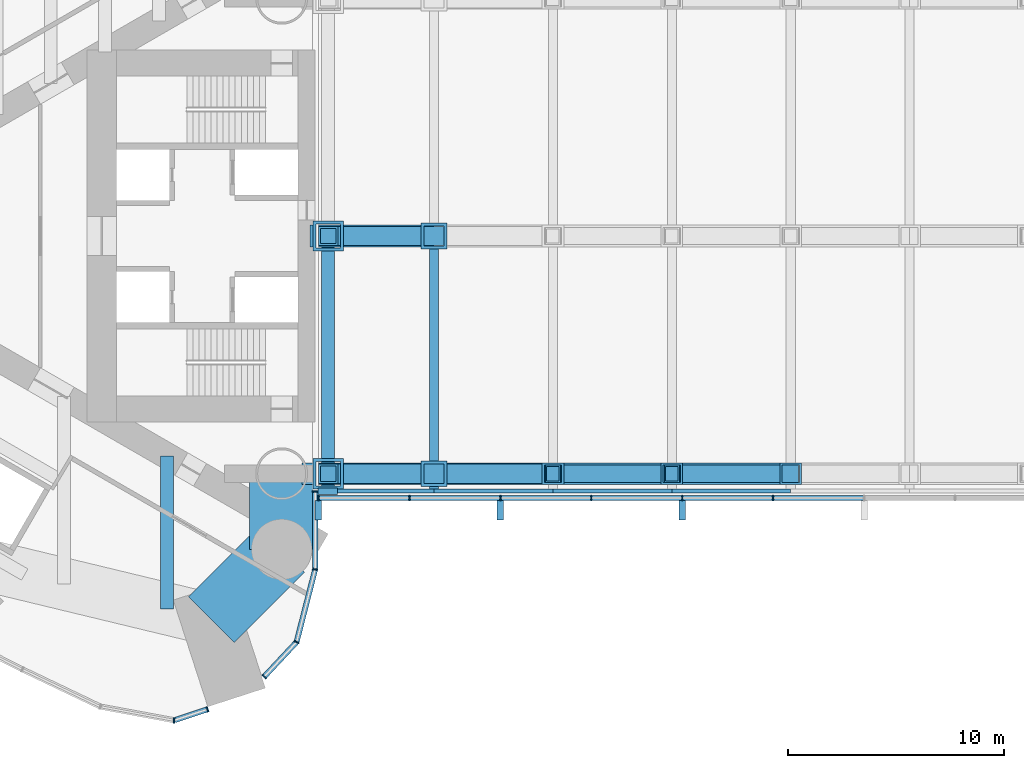
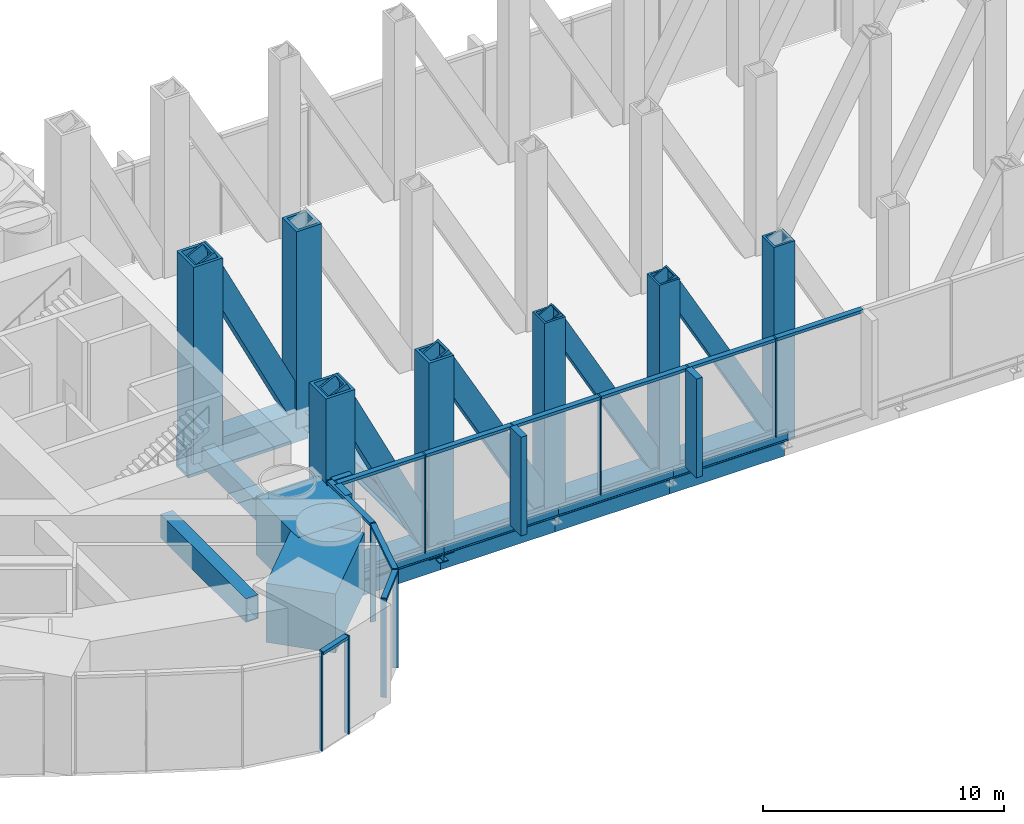
# One storey, part 4 of 21: 43 members, 9 beams, 3 elements without a shape of their own.
"""IFC4 building model written with IfcOpenShell, lengths in metres."""

from ifc_helpers import new_model, si_unit, direction, frame, origin, origin_2d, place, context, subcontext, project, spatial, rectangle, hollow_rectangle, i_section, extrude, material, material_profile, profile_set, type_object, element, aggregate, save


model = new_model("IFC4")

# Units and contexts
model_context = context("Model", 3, precision=1e-05, world=origin(), true_north=direction((0.0, 1.0)))
body_context = subcontext(model_context, "Body", "Model", "MODEL_VIEW")
ifc_project = project(units=[si_unit("LENGTHUNIT", "METRE"), si_unit("AREAUNIT", "SQUARE_METRE"), si_unit("VOLUMEUNIT", "CUBIC_METRE"), si_unit("PLANEANGLEUNIT", "RADIAN"), si_unit("MASSUNIT", "GRAM", prefix="KILO")], contexts=[model_context])

# Site, building, storey
site_placement = place(None, origin())
site = spatial("IfcSite", under=ifc_project, at=site_placement, CompositionType="ELEMENT")
building_placement = place(site_placement, origin())
building = spatial("IfcBuilding", under=site, at=building_placement, Name="Lancet Gate Hotel", CompositionType="ELEMENT")
storey_placement = place(building_placement, frame((0.0, 0.0, 205.300048828125)))
storey = spatial("IfcBuildingStorey", under=building, at=storey_placement, Name="L55", CompositionType="ELEMENT", Elevation=205.300048828125)

# Curtain wall, members
ifc_material_1 = material(Name="Aluminium curtain wall", Category="aluminium")
curtain_wall_type = type_object("IfcCurtainWallType", Name="Refuge storey louvred curtain wall", PredefinedType="USERDEFINED", material=ifc_material_1)
curtain_wall_1_placement = place(storey_placement, origin())
curtain_wall_1 = element("IfcCurtainWall", 1, at=curtain_wall_1_placement, inside=storey, type_object=curtain_wall_type, Name="T1 L55 curtain wall 9", ObjectType="LANTERN GLAZING", PredefinedType="USERDEFINED")
ifc_material_2 = material(Name="Aluminium mullion", Category="aluminium")
ifc_material_profile_1 = material_profile(ifc_material_2, rectangle(XDim=0.06494140625, YDim=0.25, at=origin_2d()), Name="MULLION 65x250")
ifc_profile_set_1 = profile_set([ifc_material_profile_1], Name="Aluminium mullion")
member_type_1 = type_object("IfcMemberType", Name="Aluminium mullion 65x250", PredefinedType="MULLION", material=ifc_profile_set_1)
member_1_placement = place(storey_placement, frame((-34.02783203125, -22.407470703125, 0.0), z_axis=(0.0, 0.0, 1.0), x_axis=(0.99969339569, -0.024761151312, 0.0)))
member_1 = element("IfcMember", 2, at=member_1_placement, type_object=member_type_1, Name="T1 L55 curtain wall 9 mullion 4", PredefinedType="MULLION", context=body_context, shape_type="SweptSolid", body=[
    extrude(rectangle(XDim=0.06494140625, YDim=0.25, at=origin_2d()), origin(), (0.0, 0.0, 1.0), 5.0),
])
member_2_placement = place(storey_placement, frame((-32.481689453125, -21.8984375, 0.0), z_axis=(0.0, 0.0, 1.0), x_axis=(0.949848055084, 0.312711803827, 0.0)))
member_2 = element("IfcMember", 3, at=member_2_placement, type_object=member_type_1, Name="T1 L55 curtain wall 9 mullion 5", PredefinedType="MULLION", context=body_context, shape_type="SweptSolid", body=[
    extrude(rectangle(XDim=0.06494140625, YDim=0.25, at=origin_2d()), origin(), (0.0, 0.0, 1.0), 5.0),
])

curtain_wall_2_placement = place(storey_placement, origin())
curtain_wall_2 = element("IfcCurtainWall", 4, at=curtain_wall_2_placement, inside=storey, type_object=curtain_wall_type, Name="T1 L55 curtain wall 10", ObjectType="LANTERN GLAZING", PredefinedType="USERDEFINED")
member_3_placement = place(storey_placement, frame((-29.8583984375, -20.388671875, 0.0), z_axis=(0.0, 0.0, 1.0), x_axis=(0.682844962172, 0.730563315282, 0.0)))
member_3 = element("IfcMember", 5, at=member_3_placement, type_object=member_type_1, Name="T1 L55 curtain wall 10 mullion 1", PredefinedType="MULLION", context=body_context, shape_type="SweptSolid", body=[
    extrude(rectangle(XDim=0.06494140625, YDim=0.25, at=origin_2d()), origin(), (0.0, 0.0, 1.0), 5.0),
])
member_4_placement = place(storey_placement, frame((-28.360595703125, -18.7861328125, 0.0), z_axis=(0.0, 0.0, 1.0), x_axis=(0.429049841875, 0.90328081635, 0.0)))
member_4 = element("IfcMember", 6, at=member_4_placement, type_object=member_type_1, Name="T1 L55 curtain wall 10 mullion 2", PredefinedType="MULLION", context=body_context, shape_type="SweptSolid", body=[
    extrude(rectangle(XDim=0.06494140625, YDim=0.25, at=origin_2d()), origin(), (0.0, 0.0, 1.0), 5.0),
])
member_5_placement = place(storey_placement, frame((-27.5, -15.42333984375, 0.0), z_axis=(0.0, 0.0, 1.0), x_axis=(0.122467472845, 0.992472527627, 0.0)))
member_5 = element("IfcMember", 7, at=member_5_placement, type_object=member_type_1, Name="T1 L55 curtain wall 10 mullion 3", PredefinedType="MULLION", context=body_context, shape_type="SweptSolid", body=[
    extrude(rectangle(XDim=0.06494140625, YDim=0.25, at=origin_2d()), origin(), (0.0, 0.0, 1.0), 5.0),
])
member_6_placement = place(storey_placement, frame((-27.5, -11.811767578125, 0.0), z_axis=(0.0, 0.0, 1.0), x_axis=(0.0, 1.0, 0.0)))
member_6 = element("IfcMember", 8, at=member_6_placement, type_object=member_type_1, Name="T1 L55 curtain wall 10 mullion 4", PredefinedType="MULLION", context=body_context, shape_type="SweptSolid", body=[
    extrude(rectangle(XDim=0.06494140625, YDim=0.25, at=origin_2d()), origin(), (0.0, 0.0, 1.0), 5.0),
])

curtain_wall_3_placement = place(storey_placement, origin())
curtain_wall_3 = element("IfcCurtainWall", 9, at=curtain_wall_3_placement, inside=storey, type_object=curtain_wall_type, Name="Bridge block L55 curtain wall S", ObjectType="LANTERN GLAZING", PredefinedType="USERDEFINED")
member_7_placement = place(storey_placement, frame((-27.35009765625, -12.1201171875, 0.0), z_axis=(0.0, 0.0, 1.0), x_axis=(1.0, 0.0, 0.0)))
member_7 = element("IfcMember", 10, at=member_7_placement, type_object=member_type_1, Name="Bridge block L55 curtain wall S mullion 1", PredefinedType="MULLION", context=body_context, shape_type="SweptSolid", body=[
    extrude(rectangle(XDim=0.06494140625, YDim=0.25, at=origin_2d()), origin(), (0.0, 0.0, 1.0), 5.0),
])
member_8_placement = place(storey_placement, frame((-23.142333984375, -12.1201171875, 0.0), z_axis=(0.0, 0.0, 1.0), x_axis=(1.0, 0.0, 0.0)))
member_8 = element("IfcMember", 11, at=member_8_placement, type_object=member_type_1, Name="Bridge block L55 curtain wall S mullion 2", PredefinedType="MULLION", context=body_context, shape_type="SweptSolid", body=[
    extrude(rectangle(XDim=0.06494140625, YDim=0.25, at=origin_2d()), origin(), (0.0, 0.0, 1.0), 5.0),
])
member_9_placement = place(storey_placement, frame((-18.9345703125, -12.1201171875, 0.0), z_axis=(0.0, 0.0, 1.0), x_axis=(1.0, 0.0, 0.0)))
member_9 = element("IfcMember", 12, at=member_9_placement, type_object=member_type_1, Name="Bridge block L55 curtain wall S mullion 3", PredefinedType="MULLION", context=body_context, shape_type="SweptSolid", body=[
    extrude(rectangle(XDim=0.06494140625, YDim=0.25, at=origin_2d()), origin(), (0.0, 0.0, 1.0), 5.0),
])
member_10_placement = place(storey_placement, frame((-14.726806640625, -12.1201171875, 0.0), z_axis=(0.0, 0.0, 1.0), x_axis=(1.0, 0.0, 0.0)))
member_10 = element("IfcMember", 13, at=member_10_placement, type_object=member_type_1, Name="Bridge block L55 curtain wall S mullion 4", PredefinedType="MULLION", context=body_context, shape_type="SweptSolid", body=[
    extrude(rectangle(XDim=0.06494140625, YDim=0.25, at=origin_2d()), origin(), (0.0, 0.0, 1.0), 5.0),
])
member_11_placement = place(storey_placement, frame((-10.519287109375, -12.1201171875, 0.0), z_axis=(0.0, 0.0, 1.0), x_axis=(1.0, 0.0, 0.0)))
member_11 = element("IfcMember", 14, at=member_11_placement, type_object=member_type_1, Name="Bridge block L55 curtain wall S mullion 5", PredefinedType="MULLION", context=body_context, shape_type="SweptSolid", body=[
    extrude(rectangle(XDim=0.06494140625, YDim=0.25, at=origin_2d()), origin(), (0.0, 0.0, 1.0), 5.0),
])
member_12_placement = place(storey_placement, frame((-6.3115234375, -12.1201171875, 0.0), z_axis=(0.0, 0.0, 1.0), x_axis=(1.0, 0.0, 0.0)))
member_12 = element("IfcMember", 15, at=member_12_placement, type_object=member_type_1, Name="Bridge block L55 curtain wall S mullion 6", PredefinedType="MULLION", context=body_context, shape_type="SweptSolid", body=[
    extrude(rectangle(XDim=0.06494140625, YDim=0.25, at=origin_2d()), origin(), (0.0, 0.0, 1.0), 5.0),
])

# Member
ifc_material_3 = material(Name="Aluminium transom", Category="aluminium")
ifc_material_profile_2 = material_profile(ifc_material_3, rectangle(XDim=0.25, YDim=0.14990234375, at=origin_2d()), Name="TRANSOM 250x150")
ifc_profile_set_2 = profile_set([ifc_material_profile_2], Name="Aluminium transom")
member_type_2 = type_object("IfcMemberType", Name="Aluminium transom 250x150", PredefinedType="USERDEFINED", material=ifc_profile_set_2)
member_13_placement = place(storey_placement, frame((-33.9970703125, -22.397216796875, 4.925048828125), z_axis=(0.949833005468, 0.312757512656, 0.0), x_axis=(-0.312757512656, 0.949833005468, 0.0)))
member_13 = element("IfcMember", 16, at=member_13_placement, type_object=member_type_2, Name="T1 L55 curtain wall 9 transom 4", ObjectType="TRANSOM", PredefinedType="USERDEFINED", context=body_context, shape_type="SweptSolid", body=[
    extrude(rectangle(XDim=0.25, YDim=0.14990234375, at=origin_2d()), origin(), (0.0, 0.0, 1.0), 1.562744140625),
])

aggregate(curtain_wall_1, [member_1, member_2, member_13])

member_14_placement = place(storey_placement, frame((-29.836181640625, -20.36474609375, 4.925048828125), z_axis=(0.682845284953, 0.730563013584, 0.0), x_axis=(-0.730563013584, 0.682845284953, 0.0)))
member_14 = element("IfcMember", 17, at=member_14_placement, type_object=member_type_2, Name="T1 L55 curtain wall 10 transom 1", ObjectType="TRANSOM", PredefinedType="USERDEFINED", context=body_context, shape_type="SweptSolid", body=[
    extrude(rectangle(XDim=0.25, YDim=0.14990234375, at=origin_2d()), origin(), (0.0, 0.0, 1.0), 2.12841796875),
])

member_15_placement = place(storey_placement, frame((-28.3525390625, -18.754638671875, 4.925048828125), z_axis=(0.247928683912, 0.968778286139, 0.0), x_axis=(-0.968778286139, 0.247928683912, 0.0)))
member_15 = element("IfcMember", 18, at=member_15_placement, type_object=member_type_2, Name="T1 L55 curtain wall 10 transom 2", ObjectType="TRANSOM", PredefinedType="USERDEFINED", context=body_context, shape_type="SweptSolid", body=[
    extrude(rectangle(XDim=0.25, YDim=0.14990234375, at=origin_2d()), origin(), (0.0, 0.0, 1.0), 3.40625),
])

member_16_placement = place(storey_placement, frame((-27.5, -15.390869140625, 4.925048828125), z_axis=(0.0, 1.0, 0.0), x_axis=(-1.0, 0.0, 0.0)))
member_16 = element("IfcMember", 19, at=member_16_placement, type_object=member_type_2, Name="T1 L55 curtain wall 10 transom 3", ObjectType="TRANSOM", PredefinedType="USERDEFINED", context=body_context, shape_type="SweptSolid", body=[
    extrude(rectangle(XDim=0.25, YDim=0.14990234375, at=origin_2d()), origin(), (0.0, 0.0, 1.0), 3.546630859375),
])

member_17_placement = place(storey_placement, frame((-27.3173828125, -12.1201171875, 4.925048828125), z_axis=(1.0, 0.0, 0.0), x_axis=(0.0, 1.0, 0.0)))
member_17 = element("IfcMember", 20, at=member_17_placement, type_object=member_type_2, Name="Bridge block L55 curtain wall S transom 1", ObjectType="TRANSOM", PredefinedType="USERDEFINED", context=body_context, shape_type="SweptSolid", body=[
    extrude(rectangle(XDim=0.25, YDim=0.14990234375, at=origin_2d()), origin(), (0.0, 0.0, 1.0), 4.142578125),
])

member_18_placement = place(storey_placement, frame((-23.10986328125, -12.1201171875, 4.925048828125), z_axis=(1.0, 0.0, 0.0), x_axis=(0.0, 1.0, 0.0)))
member_18 = element("IfcMember", 21, at=member_18_placement, type_object=member_type_2, Name="Bridge block L55 curtain wall S transom 2", ObjectType="TRANSOM", PredefinedType="USERDEFINED", context=body_context, shape_type="SweptSolid", body=[
    extrude(rectangle(XDim=0.25, YDim=0.14990234375, at=origin_2d()), origin(), (0.0, 0.0, 1.0), 4.142822265625),
])

member_19_placement = place(storey_placement, frame((-18.902099609375, -12.1201171875, 4.925048828125), z_axis=(1.0, 0.0, 0.0), x_axis=(0.0, 1.0, 0.0)))
member_19 = element("IfcMember", 22, at=member_19_placement, type_object=member_type_2, Name="Bridge block L55 curtain wall S transom 3", ObjectType="TRANSOM", PredefinedType="USERDEFINED", context=body_context, shape_type="SweptSolid", body=[
    extrude(rectangle(XDim=0.25, YDim=0.14990234375, at=origin_2d()), origin(), (0.0, 0.0, 1.0), 4.142578125),
])

member_20_placement = place(storey_placement, frame((-14.6943359375, -12.1201171875, 4.925048828125), z_axis=(1.0, 0.0, 0.0), x_axis=(0.0, 1.0, 0.0)))
member_20 = element("IfcMember", 23, at=member_20_placement, type_object=member_type_2, Name="Bridge block L55 curtain wall S transom 4", ObjectType="TRANSOM", PredefinedType="USERDEFINED", context=body_context, shape_type="SweptSolid", body=[
    extrude(rectangle(XDim=0.25, YDim=0.14990234375, at=origin_2d()), origin(), (0.0, 0.0, 1.0), 4.142578125),
])

member_21_placement = place(storey_placement, frame((-10.48681640625, -12.1201171875, 4.925048828125), z_axis=(1.0, 0.0, 0.0), x_axis=(0.0, 1.0, 0.0)))
member_21 = element("IfcMember", 24, at=member_21_placement, type_object=member_type_2, Name="Bridge block L55 curtain wall S transom 5", ObjectType="TRANSOM", PredefinedType="USERDEFINED", context=body_context, shape_type="SweptSolid", body=[
    extrude(rectangle(XDim=0.25, YDim=0.14990234375, at=origin_2d()), origin(), (0.0, 0.0, 1.0), 4.142822265625),
])

member_22_placement = place(storey_placement, frame((-6.279052734375, -12.1201171875, 4.925048828125), z_axis=(1.0, 0.0, 0.0), x_axis=(0.0, 1.0, 0.0)))
member_22 = element("IfcMember", 25, at=member_22_placement, type_object=member_type_2, Name="Bridge block L55 curtain wall S transom 6", ObjectType="TRANSOM", PredefinedType="USERDEFINED", context=body_context, shape_type="SweptSolid", body=[
    extrude(rectangle(XDim=0.25, YDim=0.14990234375, at=origin_2d()), origin(), (0.0, 0.0, 1.0), 4.142822265625),
])

# Beams
ifc_material_4 = material(Name="Steel S355", Category="steel")
ifc_material_profile_3 = material_profile(ifc_material_4, i_section(OverallWidth=0.19140625, OverallDepth=0.4599609375, WebThickness=0.010009765625, FlangeThickness=0.01611328125, FilletRadius=0.01025390625, at=origin_2d()), Name="UKB 457x191x82")
ifc_profile_set_3 = profile_set([ifc_material_profile_3], Name="Steel S355")
beam_type_1 = type_object("IfcBeamType", Name="Block edge beam UKB 457x191x82", PredefinedType="SPANDREL", material=ifc_profile_set_3)
beam_1_placement = place(storey_placement, frame((-26.89990234375, -11.800048828125, -0.429931640625), z_axis=(1.0, 0.0, 0.0), x_axis=(0.0, 1.0, 0.0)))
element("IfcBeam", 26, at=beam_1_placement, inside=storey, type_object=beam_type_1, Name="Block edge beam S 0-1 L55", PredefinedType="SPANDREL", context=body_context, shape_type="SweptSolid", body=[
    extrude(i_section(OverallWidth=0.19140625, OverallDepth=0.4599609375, WebThickness=0.010009765625, FlangeThickness=0.01611328125, FilletRadius=0.01025390625, at=origin_2d()), origin(), (0.0, 0.0, 1.0), 4.89990234375),
])
for number, where, z_axis, x_axis, name in (
    (27, (-22.0, -11.800048828125, -0.429931640625), (1.0, 0.0, 0.0), (0.0, 1.0, 0.0), "Block edge beam S 1-2 L55"),
    (28, (-16.5, -11.800048828125, -0.429931640625), (1.0, 0.0, 0.0), (0.0, 1.0, 0.0), "Block edge beam S 2-3 L55"),
    (29, (-11.0, -11.800048828125, -0.429931640625), (1.0, 0.0, 0.0), (0.0, 1.0, 0.0), "Block edge beam S 3-4 L55"),
):
    element("IfcBeam", number, at=place(storey_placement, frame(where, z_axis=z_axis, x_axis=x_axis)), inside=storey, type_object=beam_type_1, Name=name, PredefinedType="SPANDREL", context=body_context, shape_type="SweptSolid", body=[
        extrude(i_section(OverallWidth=0.19140625, OverallDepth=0.4599609375, WebThickness=0.010009765625, FlangeThickness=0.01611328125, FilletRadius=0.01025390625, at=origin_2d()), origin(), (0.0, 0.0, 1.0), 5.5),
    ])
ifc_material_5 = material(Name="Steel S460QL", Category="steel")
ifc_material_profile_4 = material_profile(ifc_material_5, hollow_rectangle(XDim=0.60009765625, YDim=1.0, WallThickness=0.10009765625, at=origin_2d()), Name="BOX 1000x600x100")
ifc_profile_set_4 = profile_set([ifc_material_profile_4], Name="Steel S460QL")
beam_type_2 = type_object("IfcBeamType", Name="Block end beam BOX 1000x600x100", PredefinedType="BEAM", material=ifc_profile_set_4)
beam_2_placement = place(storey_placement, frame((-26.89990234375, -11.800048828125, -0.699951171875), z_axis=(0.0, 1.0, 0.0), x_axis=(-1.0, 0.0, 0.0)))
element("IfcBeam", 30, at=beam_2_placement, inside=storey, type_object=beam_type_2, Name="Block beam x0 S L55", PredefinedType="BEAM", context=body_context, shape_type="SweptSolid", body=[
    extrude(hollow_rectangle(XDim=0.60009765625, YDim=1.0, WallThickness=0.10009765625, at=origin_2d()), origin(), (0.0, 0.0, 1.0), 11.800048828125),
])
ifc_material_6 = material(Name="Steel S355", Category="steel")
ifc_material_profile_5 = material_profile(ifc_material_6, i_section(OverallWidth=0.42041015625, OverallDepth=0.9208984375, WebThickness=0.021484375, FlangeThickness=0.03662109375, FilletRadius=0.024169921875, at=origin_2d()), Name="UKB 914x419x388")
ifc_profile_set_5 = profile_set([ifc_material_profile_5], Name="Steel S355")
beam_type_3 = type_object("IfcBeamType", Name="Block plant floor beam UKB 914x419x388", PredefinedType="JOIST", material=ifc_profile_set_5)
beam_3_placement = place(storey_placement, frame((-22.0, -11.800048828125, -0.66064453125), z_axis=(0.0, 1.0, 0.0), x_axis=(-1.0, 0.0, 0.0)))
element("IfcBeam", 31, at=beam_3_placement, inside=storey, type_object=beam_type_3, Name="Block beam x1 S L55", PredefinedType="JOIST", context=body_context, shape_type="SweptSolid", body=[
    extrude(i_section(OverallWidth=0.42041015625, OverallDepth=0.9208984375, WebThickness=0.021484375, FlangeThickness=0.03662109375, FilletRadius=0.024169921875, at=origin_2d()), origin(), (0.0, 0.0, 1.0), 11.800048828125),
])

# Member
ifc_material_7 = material(Name="Precast concrete C50/60", Category="concrete")
ifc_material_profile_6 = material_profile(ifc_material_7, rectangle(XDim=0.300048828125, YDim=0.89990234375, at=origin_2d()), Name="FIN 300x900")
ifc_profile_set_6 = profile_set([ifc_material_profile_6], Name="Precast concrete C50/60")
member_type_3 = type_object("IfcMemberType", Name="Exposed concrete fin 300x900", PredefinedType="USERDEFINED", material=ifc_profile_set_6)
member_23_placement = place(storey_placement, frame((-26.925048828125, -11.811767578125, 0.0), z_axis=(0.0, 0.0, 1.0), x_axis=(0.0, 1.0, 0.0)))
member_23 = element("IfcMember", 32, at=member_23_placement, type_object=member_type_3, Name="T1 L55 curtain wall 10 fin 4", ObjectType="FIN", PredefinedType="USERDEFINED", context=body_context, shape_type="SweptSolid", body=[
    extrude(rectangle(XDim=0.300048828125, YDim=0.89990234375, at=origin_2d()), origin(), (0.0, 0.0, 1.0), 5.0),
])

aggregate(curtain_wall_2, [member_3, member_4, member_5, member_6, member_23, member_14, member_15, member_16])

member_24_placement = place(storey_placement, frame((-27.35009765625, -12.695068359375, 0.0), z_axis=(0.0, 0.0, 1.0), x_axis=(1.0, 0.0, 0.0)))
member_24 = element("IfcMember", 33, at=member_24_placement, type_object=member_type_3, Name="Bridge block L55 curtain wall S fin 1", ObjectType="FIN", PredefinedType="USERDEFINED", context=body_context, shape_type="SweptSolid", body=[
    extrude(rectangle(XDim=0.300048828125, YDim=0.89990234375, at=origin_2d()), origin(), (0.0, 0.0, 1.0), 5.0),
])

member_25_placement = place(storey_placement, frame((-18.9345703125, -12.695068359375, 0.0), z_axis=(0.0, 0.0, 1.0), x_axis=(1.0, 0.0, 0.0)))
member_25 = element("IfcMember", 34, at=member_25_placement, type_object=member_type_3, Name="Bridge block L55 curtain wall S fin 3", ObjectType="FIN", PredefinedType="USERDEFINED", context=body_context, shape_type="SweptSolid", body=[
    extrude(rectangle(XDim=0.300048828125, YDim=0.89990234375, at=origin_2d()), origin(), (0.0, 0.0, 1.0), 5.0),
])

member_26_placement = place(storey_placement, frame((-10.519287109375, -12.695068359375, 0.0), z_axis=(0.0, 0.0, 1.0), x_axis=(1.0, 0.0, 0.0)))
member_26 = element("IfcMember", 35, at=member_26_placement, type_object=member_type_3, Name="Bridge block L55 curtain wall S fin 5", ObjectType="FIN", PredefinedType="USERDEFINED", context=body_context, shape_type="SweptSolid", body=[
    extrude(rectangle(XDim=0.300048828125, YDim=0.89990234375, at=origin_2d()), origin(), (0.0, 0.0, 1.0), 5.0),
])

aggregate(curtain_wall_3, [member_7, member_24, member_8, member_9, member_25, member_10, member_11, member_26, member_12, member_17, member_18, member_19, member_20, member_21, member_22])

# Beams
ifc_material_8 = material(Name="Steel S460QL", Category="steel")
ifc_material_profile_7 = material_profile(ifc_material_8, hollow_rectangle(XDim=0.60009765625, YDim=1.199951171875, WallThickness=0.050048828125, at=origin_2d()), Name="BOX 1200x600x50")
ifc_profile_set_7 = profile_set([ifc_material_profile_7], Name="Steel S460QL")
beam_type_4 = type_object("IfcBeamType", Name="Refuge floor beam BOX 1200x600x50", PredefinedType="BEAM", material=ifc_profile_set_7)
beam_4_placement = place(storey_placement, frame((-34.353515625, -10.169921875, 4.14990234375), z_axis=(0.0, -1.0, 0.0), x_axis=(1.0, 0.0, 0.0)))
element("IfcBeam", 36, at=beam_4_placement, inside=storey, type_object=beam_type_4, Name="T1 floor beam F01N L55", PredefinedType="BEAM", context=body_context, shape_type="SweptSolid", body=[
    extrude(hollow_rectangle(XDim=0.60009765625, YDim=1.199951171875, WallThickness=0.050048828125, at=origin_2d()), origin(), (0.0, 0.0, 1.0), 7.08056640625),
])
ifc_material_9 = material(Name="Concrete C50/60", Category="concrete")
ifc_material_profile_8 = material_profile(ifc_material_9, rectangle(XDim=3.0, YDim=3.0, at=origin_2d()), Name="RC 3000x3000")
ifc_profile_set_8 = profile_set([ifc_material_profile_8], Name="Concrete C50/60")
beam_type_5 = type_object("IfcBeamType", Name="Tie ring beam RC 3000x3000", PredefinedType="SPANDREL", material=ifc_profile_set_8)
beam_5_placement = place(storey_placement, frame((-29.050048828125, -11.0, 3.25), z_axis=(0.0, -1.0, 0.0), x_axis=(1.0, 0.0, 0.0)))
element("IfcBeam", 37, at=beam_5_placement, inside=storey, type_object=beam_type_5, Name="T1 tie ring beam RG4 L55", PredefinedType="SPANDREL", context=body_context, shape_type="SweptSolid", body=[
    extrude(rectangle(XDim=3.0, YDim=3.0, at=origin_2d()), origin(), (0.0, 0.0, 1.0), 3.5),
])
beam_6_placement = place(storey_placement, frame((-29.050048828125, -14.5, 3.25), z_axis=(-0.707717718128, -0.706495315942, 0.0), x_axis=(0.706495315942, -0.707717718128, 0.0)))
element("IfcBeam", 38, at=beam_6_placement, inside=storey, type_object=beam_type_5, Name="T1 tie ring beam RG4 L55", PredefinedType="SPANDREL", context=body_context, shape_type="SweptSolid", body=[
    extrude(rectangle(XDim=3.0, YDim=3.0, at=origin_2d()), origin(), (0.0, 0.0, 1.0), 4.593505859375),
])

# Members
ifc_material_10 = material(Name="Steel S460QL", Category="steel")
ifc_material_profile_9 = material_profile(ifc_material_10, hollow_rectangle(XDim=1.0, YDim=1.5, WallThickness=0.14990234375, at=origin_2d()), Name="BOX 1500x1000x150")
ifc_profile_set_9 = profile_set([ifc_material_profile_9], Name="Steel S460QL")
member_type_4 = type_object("IfcMemberType", Name="Truss bottom chord BOX 1500x1000x150", PredefinedType="CHORD", material=ifc_profile_set_9)
member_27_placement = place(storey_placement, frame((-28.10009765625, -11.0, -0.949951171875), z_axis=(1.0, 0.0, 0.0), x_axis=(0.0, 1.0, 0.0)))
element("IfcMember", 39, at=member_27_placement, inside=storey, type_object=member_type_4, Name="Truss S bottom chord panel 1", PredefinedType="CHORD", context=body_context, shape_type="SweptSolid", body=[
    extrude(hollow_rectangle(XDim=1.0, YDim=1.5, WallThickness=0.14990234375, at=origin_2d()), origin(), (0.0, 0.0, 1.0), 6.10009765625),
])
for number, where, z_axis, x_axis, name in (
    (40, (-22.0, -11.0, -0.949951171875), (1.0, 0.0, 0.0), (0.0, 1.0, 0.0), "Truss S bottom chord panel 2"),
    (41, (-16.5, -11.0, -0.949951171875), (1.0, 0.0, 0.0), (0.0, 1.0, 0.0), "Truss S bottom chord panel 3"),
    (42, (-11.0, -11.0, -0.949951171875), (1.0, 0.0, 0.0), (0.0, 1.0, 0.0), "Truss S bottom chord panel 4"),
):
    element("IfcMember", number, at=place(storey_placement, frame(where, z_axis=z_axis, x_axis=x_axis)), inside=storey, type_object=member_type_4, Name=name, PredefinedType="CHORD", context=body_context, shape_type="SweptSolid", body=[
        extrude(hollow_rectangle(XDim=1.0, YDim=1.5, WallThickness=0.14990234375, at=origin_2d()), origin(), (0.0, 0.0, 1.0), 5.5),
    ])
member_28_placement = place(storey_placement, frame((-27.75, 0.0, -0.949951171875), z_axis=(1.0, 0.0, 0.0), x_axis=(0.0, 1.0, 0.0)))
element("IfcMember", 43, at=member_28_placement, inside=storey, type_object=member_type_4, Name="Truss M bottom chord panel 1", PredefinedType="CHORD", context=body_context, shape_type="SweptSolid", body=[
    extrude(hollow_rectangle(XDim=1.0, YDim=1.5, WallThickness=0.14990234375, at=origin_2d()), origin(), (0.0, 0.0, 1.0), 5.75),
])
ifc_material_11 = material(Name="Steel S460QL", Category="steel")
ifc_material_profile_10 = material_profile(ifc_material_11, hollow_rectangle(XDim=0.89990234375, YDim=1.0, WallThickness=0.10009765625, at=origin_2d()), Name="BOX 1000x900x100")
ifc_profile_set_10 = profile_set([ifc_material_profile_10], Name="Steel S460QL")
member_type_5 = type_object("IfcMemberType", Name="Truss diagonal BOX 1000x900x100", PredefinedType="BRACE", material=ifc_profile_set_10)
member_29_placement = place(storey_placement, frame((-26.89990234375, -11.0, 9.050048828125), z_axis=(0.440008176176, 0.0, -0.897993766625), x_axis=(0.0, 1.0, 0.0)))
element("IfcMember", 44, at=member_29_placement, inside=storey, type_object=member_type_5, Name="Truss S diagonal panel 1", PredefinedType="BRACE", context=body_context, shape_type="SweptSolid", body=[
    extrude(hollow_rectangle(XDim=0.89990234375, YDim=1.0, WallThickness=0.10009765625, at=origin_2d()), origin(), (0.0, 0.0, 1.0), 11.135986328125),
])
member_30_placement = place(storey_placement, frame((-22.0, -11.0, 9.050048828125), z_axis=(0.481918749772, 0.0, -0.876215908677), x_axis=(0.0, 1.0, 0.0)))
element("IfcMember", 45, at=member_30_placement, inside=storey, type_object=member_type_5, Name="Truss S diagonal panel 2", PredefinedType="BRACE", context=body_context, shape_type="SweptSolid", body=[
    extrude(hollow_rectangle(XDim=0.89990234375, YDim=1.0, WallThickness=0.10009765625, at=origin_2d()), origin(), (0.0, 0.0, 1.0), 11.41259765625),
])
member_31_placement = place(storey_placement, frame((-26.89990234375, 0.0, 9.050048828125), z_axis=(0.440008176176, 0.0, -0.897993766625), x_axis=(0.0, 1.0, 0.0)))
element("IfcMember", 46, at=member_31_placement, inside=storey, type_object=member_type_5, Name="Truss M diagonal panel 1", PredefinedType="BRACE", context=body_context, shape_type="SweptSolid", body=[
    extrude(hollow_rectangle(XDim=0.89990234375, YDim=1.0, WallThickness=0.10009765625, at=origin_2d()), origin(), (0.0, 0.0, 1.0), 11.135986328125),
])
ifc_material_12 = material(Name="Steel S460QL", Category="steel")
ifc_material_profile_11 = material_profile(ifc_material_12, hollow_rectangle(XDim=0.800048828125, YDim=0.800048828125, WallThickness=0.070068359375, at=origin_2d()), Name="BOX 800x800x70")
ifc_profile_set_11 = profile_set([ifc_material_profile_11], Name="Steel S460QL")
member_type_6 = type_object("IfcMemberType", Name="Truss diagonal BOX 800x800x70", PredefinedType="BRACE", material=ifc_profile_set_11)
for number, where, z_axis, x_axis, name in (
    (47, (-16.5, -11.0, 9.050048828125), (0.481918749772, 0.0, -0.876215908677), (0.0, 1.0, 0.0), "Truss S diagonal panel 3"),
    (48, (-11.0, -11.0, 9.050048828125), (0.481918749772, 0.0, -0.876215908677), (0.0, 1.0, 0.0), "Truss S diagonal panel 4"),
):
    element("IfcMember", number, at=place(storey_placement, frame(where, z_axis=z_axis, x_axis=x_axis)), inside=storey, type_object=member_type_6, Name=name, PredefinedType="BRACE", context=body_context, shape_type="SweptSolid", body=[
        extrude(hollow_rectangle(XDim=0.800048828125, YDim=0.800048828125, WallThickness=0.070068359375, at=origin_2d()), origin(), (0.0, 0.0, 1.0), 11.41259765625),
    ])
ifc_material_13 = material(Name="Steel S460QL", Category="steel")
ifc_material_profile_12 = material_profile(ifc_material_13, hollow_rectangle(XDim=1.39990234375, YDim=1.39990234375, WallThickness=0.139892578125, at=origin_2d()), Name="BOX 1400x1400x140")
ifc_profile_set_12 = profile_set([ifc_material_profile_12], Name="Steel S460QL")
member_type_7 = type_object("IfcMemberType", Name="Truss end post BOX 1400x1400x140", PredefinedType="POST", material=ifc_profile_set_12)
for number, where, z_axis, x_axis, name in (
    (49, (-26.89990234375, -11.0, -0.949951171875), (0.0, 0.0, 1.0), (1.0, 0.0, 0.0), "Truss S post 0"),
    (50, (-26.89990234375, 0.0, -0.949951171875), (0.0, 0.0, 1.0), (1.0, 0.0, 0.0), "Truss M post 0"),
):
    element("IfcMember", number, at=place(storey_placement, frame(where, z_axis=z_axis, x_axis=x_axis)), inside=storey, type_object=member_type_7, Name=name, PredefinedType="POST", context=body_context, shape_type="SweptSolid", body=[
        extrude(hollow_rectangle(XDim=1.39990234375, YDim=1.39990234375, WallThickness=0.139892578125, at=origin_2d()), origin(), (0.0, 0.0, 1.0), 10.0),
    ])
ifc_material_14 = material(Name="Steel S460QL", Category="steel")
ifc_material_profile_13 = material_profile(ifc_material_14, hollow_rectangle(XDim=1.0, YDim=1.0, WallThickness=0.10009765625, at=origin_2d()), Name="BOX 1000x1000x100")
ifc_profile_set_13 = profile_set([ifc_material_profile_13], Name="Steel S460QL")
member_type_8 = type_object("IfcMemberType", Name="Truss post BOX 1000x1000x100", PredefinedType="POST", material=ifc_profile_set_13)
for number, where, z_axis, x_axis, name in (
    (51, (-16.5, -11.0, -0.949951171875), (0.0, 0.0, 1.0), (1.0, 0.0, 0.0), "Truss S post 2"),
    (52, (-11.0, -11.0, -0.949951171875), (0.0, 0.0, 1.0), (1.0, 0.0, 0.0), "Truss S post 3"),
    (53, (-5.5, -11.0, -0.949951171875), (0.0, 0.0, 1.0), (1.0, 0.0, 0.0), "Truss S post 4"),
):
    element("IfcMember", number, at=place(storey_placement, frame(where, z_axis=z_axis, x_axis=x_axis)), inside=storey, type_object=member_type_8, Name=name, PredefinedType="POST", context=body_context, shape_type="SweptSolid", body=[
        extrude(hollow_rectangle(XDim=1.0, YDim=1.0, WallThickness=0.10009765625, at=origin_2d()), origin(), (0.0, 0.0, 1.0), 10.0),
    ])
ifc_material_15 = material(Name="Steel S460QL", Category="steel")
ifc_material_profile_14 = material_profile(ifc_material_15, hollow_rectangle(XDim=1.199951171875, YDim=1.199951171875, WallThickness=0.139892578125, at=origin_2d()), Name="BOX 1200x1200x140")
ifc_profile_set_14 = profile_set([ifc_material_profile_14], Name="Steel S460QL")
member_type_9 = type_object("IfcMemberType", Name="Truss post BOX 1200x1200x140", PredefinedType="POST", material=ifc_profile_set_14)
for number, where, z_axis, x_axis, name in (
    (54, (-22.0, -11.0, -0.949951171875), (0.0, 0.0, 1.0), (1.0, 0.0, 0.0), "Truss S post 1"),
    (55, (-22.0, 0.0, -0.949951171875), (0.0, 0.0, 1.0), (1.0, 0.0, 0.0), "Truss M post 1"),
):
    element("IfcMember", number, at=place(storey_placement, frame(where, z_axis=z_axis, x_axis=x_axis)), inside=storey, type_object=member_type_9, Name=name, PredefinedType="POST", context=body_context, shape_type="SweptSolid", body=[
        extrude(hollow_rectangle(XDim=1.199951171875, YDim=1.199951171875, WallThickness=0.139892578125, at=origin_2d()), origin(), (0.0, 0.0, 1.0), 10.0),
    ])

save(model, "model.ifc")
